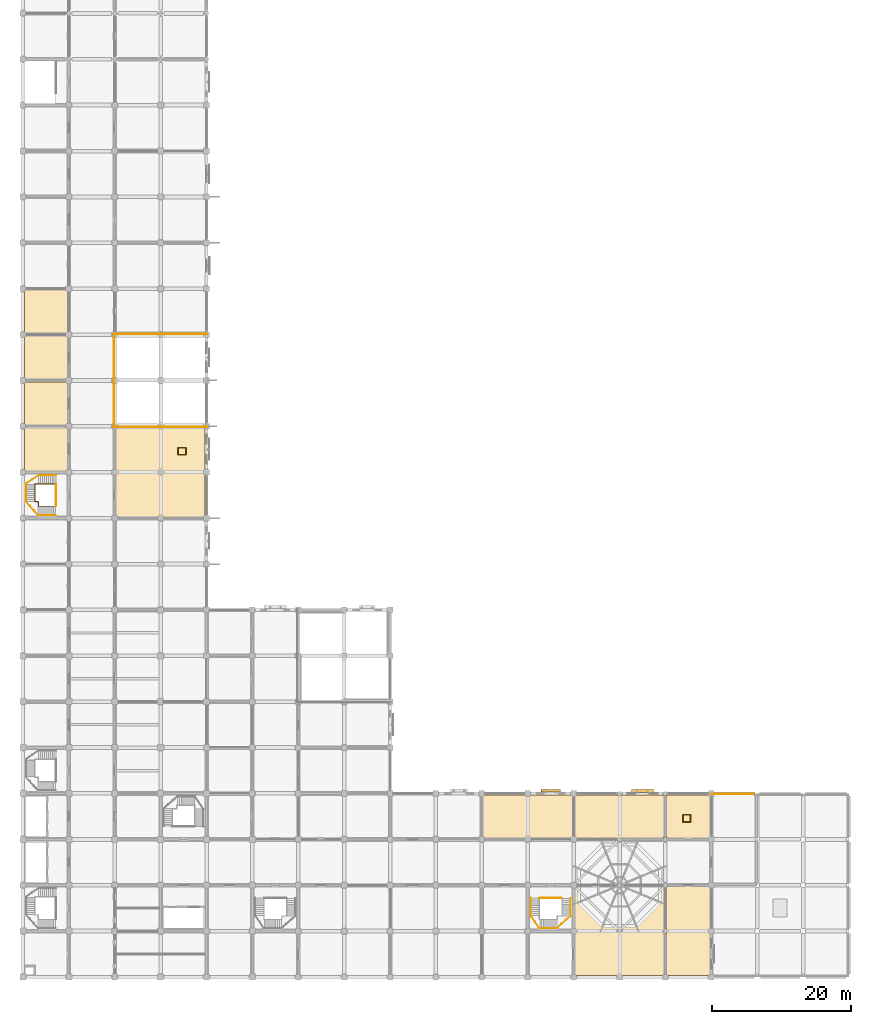
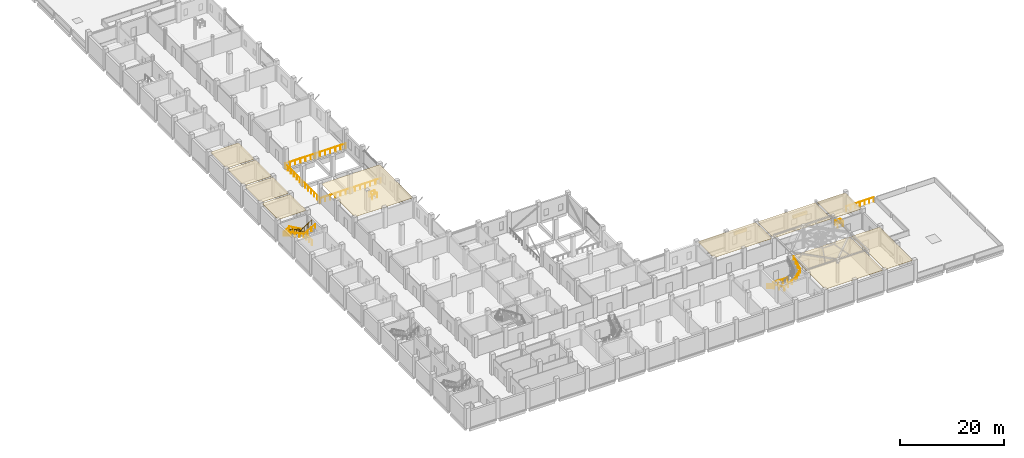
# One storey, part 33 of 34: 14 railings, 10 coverings, 2 shading devices.
"""IFC4 building model written with IfcOpenShell, lengths in metres."""

from ifc_helpers import new_model, si_unit, direction, frame, origin, origin_2d, place, context, subcontext, project, spatial, polyline, rectangle, circle, outline, extrude, material, layer, layer_set, type_object, element, save


model = new_model("IFC4")

# Units and contexts
model_context = context("Model", 3, precision=1e-05, world=origin(), true_north=direction((0.0, 1.0)))
body_context = subcontext(model_context, "Body", "Model", "MODEL_VIEW")
ifc_project = project(units=[si_unit("LENGTHUNIT", "METRE"), si_unit("AREAUNIT", "SQUARE_METRE"), si_unit("VOLUMEUNIT", "CUBIC_METRE"), si_unit("PLANEANGLEUNIT", "RADIAN"), si_unit("MASSUNIT", "GRAM", prefix="KILO")], contexts=[model_context])

# Site, building, storey
site_placement = place(None, origin())
site = spatial("IfcSite", under=ifc_project, at=site_placement, CompositionType="ELEMENT")
building_placement = place(site_placement, origin())
building = spatial("IfcBuilding", under=site, at=building_placement, Name="Rusizi Kubbe Research Institute", CompositionType="ELEMENT")
storey_placement = place(building_placement, frame((0.0, 0.0, 5.39990234375)))
storey = spatial("IfcBuildingStorey", under=building, at=storey_placement, Name="L01", CompositionType="ELEMENT", Elevation=5.39990234375)

# Coverings
ifc_material_1 = material(Name="Mineral-Fibre Acoustic Laboratory Ceiling", Category="masonry")
ifc_layer_1 = layer(ifc_material_1, 0.0400390625)
ifc_layer_set_1 = layer_set([ifc_layer_1], Name="Mineral-Fibre Acoustic Laboratory Ceiling")
covering_type_1 = type_object("IfcCoveringType", Name="CL-ACOUSTIC", PredefinedType="CEILING", material=ifc_layer_set_1)
covering_1_placement = place(storey_placement, frame((0.0, 0.0, 4.41015625)))
element("IfcCovering", 1, at=covering_1_placement, inside=storey, type_object=covering_type_1, Name="Service Spine Autoclave Room Ceiling L01-WSP-12", PredefinedType="CEILING", context=body_context, shape_type="SweptSolid", body=[
    extrude(outline(polyline([(0.18994140625, 79.389892578125), (6.409912109375, 79.389892578125), (6.409912109375, 85.610107421875), (0.18994140625, 85.610107421875), (0.18994140625, 79.389892578125)])), origin(), (0.0, 0.0, 1.0), 0.0400390625),
])
covering_2_placement = place(storey_placement, frame((0.0, 0.0, 4.41015625)))
element("IfcCovering", 2, at=covering_2_placement, inside=storey, type_object=covering_type_1, Name="Service Spine Autoclave Room Ceiling L01-WSP-14", PredefinedType="CEILING", context=body_context, shape_type="SweptSolid", body=[
    extrude(outline(polyline([(0.18994140625, 92.590087890625), (6.409912109375, 92.590087890625), (6.409912109375, 98.81005859375), (0.18994140625, 98.81005859375), (0.18994140625, 92.590087890625)])), origin(), (0.0, 0.0, 1.0), 0.0400390625),
])
covering_3_placement = place(storey_placement, frame((0.0, 0.0, 4.41015625)))
element("IfcCovering", 3, at=covering_3_placement, inside=storey, type_object=covering_type_1, Name="Bioscience Wet Laboratory Ceiling L01-NW-05", PredefinedType="CEILING", context=body_context, shape_type="SweptSolid", body=[
    extrude(outline(polyline([(13.389892578125, 66.18994140625), (26.2099609375, 66.18994140625), (26.2099609375, 79.010009765625), (13.389892578125, 79.010009765625), (13.389892578125, 66.18994140625)])), origin(), (0.0, 0.0, 1.0), 0.0400390625),
])
covering_4_placement = place(storey_placement, frame((0.0, 0.0, 4.41015625)))
element("IfcCovering", 4, at=covering_4_placement, inside=storey, type_object=covering_type_1, Name="Catalysis Wet Laboratory Ceiling L01-EWS-06", PredefinedType="CEILING", context=body_context, shape_type="SweptSolid", body=[
    extrude(outline(polyline([(92.590087890625, 0.18994140625), (98.81005859375, 0.18994140625), (98.81005859375, 13.010009765625), (92.590087890625, 13.010009765625), (92.590087890625, 0.18994140625)])), origin(), (0.0, 0.0, 1.0), 0.0400390625),
])
covering_5_placement = place(storey_placement, frame((0.0, 0.0, 4.41015625)))
element("IfcCovering", 5, at=covering_5_placement, inside=storey, type_object=covering_type_1, Name="Write-up Office Ceiling L01-EWN-02", PredefinedType="CEILING", context=body_context, shape_type="SweptSolid", body=[
    extrude(outline(polyline([(66.18994140625, 19.989990234375), (79.010009765625, 19.989990234375), (79.010009765625, 26.2099609375), (66.18994140625, 26.2099609375), (66.18994140625, 19.989990234375)])), origin(), (0.0, 0.0, 1.0), 0.0400390625),
])
covering_6_placement = place(storey_placement, frame((0.0, 0.0, 4.41015625)))
element("IfcCovering", 6, at=covering_6_placement, inside=storey, type_object=covering_type_1, Name="Molecular Diagnostics Laboratory Ceiling L01-EWN-03", PredefinedType="CEILING", context=body_context, shape_type="SweptSolid", body=[
    extrude(outline(polyline([(79.389892578125, 19.989990234375), (92.2099609375, 19.989990234375), (92.2099609375, 26.2099609375), (79.389892578125, 26.2099609375), (79.389892578125, 19.989990234375)])), origin(), (0.0, 0.0, 1.0), 0.0400390625),
])
covering_7_placement = place(storey_placement, frame((0.0, 0.0, 4.41015625)))
element("IfcCovering", 7, at=covering_7_placement, inside=storey, type_object=covering_type_1, Name="Write-up Office Ceiling L01-EWN-04", PredefinedType="CEILING", context=body_context, shape_type="SweptSolid", body=[
    extrude(outline(polyline([(92.590087890625, 19.989990234375), (98.81005859375, 19.989990234375), (98.81005859375, 26.2099609375), (92.590087890625, 26.2099609375), (92.590087890625, 19.989990234375)])), origin(), (0.0, 0.0, 1.0), 0.0400390625),
])
ifc_material_2 = material(Name="Flush Cleanroom Aluminium HEPA Ceiling Grid", Category="aluminium")
ifc_layer_2 = layer(ifc_material_2, 0.044921875)
ifc_layer_set_2 = layer_set([ifc_layer_2], Name="Flush Cleanroom Aluminium HEPA Ceiling Grid")
covering_type_2 = type_object("IfcCoveringType", Name="CL-HEPA", PredefinedType="CEILING", material=ifc_layer_set_2)
covering_8_placement = place(storey_placement, frame((0.0, 0.0, 4.405029296875)))
element("IfcCovering", 8, at=covering_8_placement, inside=storey, type_object=covering_type_2, Name="Clean Room Metrology Laboratory Ceiling L01-WSP-11", PredefinedType="CEILING", context=body_context, shape_type="SweptSolid", body=[
    extrude(outline(polyline([(0.18994140625, 72.7900390625), (6.409912109375, 72.7900390625), (6.409912109375, 79.010009765625), (0.18994140625, 79.010009765625), (0.18994140625, 72.7900390625)])), origin(), (0.0, 0.0, 1.0), 0.045166015625),
])
covering_9_placement = place(storey_placement, frame((0.0, 0.0, 4.405029296875)))
element("IfcCovering", 9, at=covering_9_placement, inside=storey, type_object=covering_type_2, Name="Clean Room Metrology Laboratory Ceiling L01-WSP-13", PredefinedType="CEILING", context=body_context, shape_type="SweptSolid", body=[
    extrude(outline(polyline([(0.18994140625, 85.989990234375), (6.409912109375, 85.989990234375), (6.409912109375, 92.2099609375), (0.18994140625, 92.2099609375), (0.18994140625, 85.989990234375)])), origin(), (0.0, 0.0, 1.0), 0.045166015625),
])
covering_10_placement = place(storey_placement, frame((0.0, 0.0, 4.405029296875)))
element("IfcCovering", 10, at=covering_10_placement, inside=storey, type_object=covering_type_2, Name="Clean Room Process Suite Ceiling L01-EWS-05", PredefinedType="CEILING", context=body_context, shape_type="SweptSolid", body=[
    extrude(outline(polyline([(79.389892578125, 0.18994140625), (92.2099609375, 0.18994140625), (92.2099609375, 13.010009765625), (79.389892578125, 13.010009765625), (79.389892578125, 0.18994140625)])), origin(), (0.0, 0.0, 1.0), 0.045166015625),
])

# Railings
ifc_material_3 = material(Name="Architectural Painted Steel Balustrade", Category="steel")
railing_type_1 = type_object("IfcRailingType", Name="GR-EXT", PredefinedType="GUARDRAIL", material=ifc_material_3)
railing_1_placement = place(storey_placement, frame((99.080078125, 26.320068359375, 0.0)))
element("IfcRailing", 11, at=railing_1_placement, inside=storey, type_object=railing_type_1, Name="Roof Terrace Guard L01-02", PredefinedType="GUARDRAIL", context=body_context, shape_type="SweptSolid", body=[
    extrude(circle(Radius=0.02392578125, at=origin_2d()), frame((0.0, 0.0, 1.09619140625), z_axis=(1.0, 0.0, 0.0), x_axis=(0.0, 1.0, 0.0)), (0.0, 0.0, 1.0), 6.099853515625),
    extrude(circle(Radius=0.02099609375, at=origin_2d()), origin(), (0.0, 0.0, 1.0), 1.072021484375),
    extrude(circle(Radius=0.02099609375, at=origin_2d()), frame((1.0166015625, 0.0, 0.0)), (0.0, 0.0, 1.0), 1.072021484375),
    extrude(circle(Radius=0.02099609375, at=origin_2d()), frame((2.033203125, 0.0, 0.0)), (0.0, 0.0, 1.0), 1.072021484375),
    extrude(circle(Radius=0.02099609375, at=origin_2d()), frame((3.0498046875, 0.0, 0.0)), (0.0, 0.0, 1.0), 1.072021484375),
    extrude(circle(Radius=0.02099609375, at=origin_2d()), frame((4.066650390625, 0.0, 0.0)), (0.0, 0.0, 1.0), 1.072021484375),
    extrude(circle(Radius=0.02099609375, at=origin_2d()), frame((5.083251953125, 0.0, 0.0)), (0.0, 0.0, 1.0), 1.072021484375),
    extrude(circle(Radius=0.02099609375, at=origin_2d()), frame((6.099853515625, 0.0, 0.0)), (0.0, 0.0, 1.0), 1.072021484375),
])
ifc_material_4 = material(Name="Painted Steel Stair Guard", Category="steel")
railing_type_2 = type_object("IfcRailingType", Name="GR-STAIR", PredefinedType="GUARDRAIL", material=ifc_material_4)
railing_2_placement = place(storey_placement, frame((4.780029296875, 70.889892578125, 0.080078125)))
element("IfcRailing", 12, at=railing_2_placement, inside=storey, type_object=railing_type_2, Name="Stair Inner Well Guard ST5 L01", PredefinedType="GUARDRAIL", context=body_context, shape_type="SweptSolid", body=[
    extrude(circle(Radius=0.02392578125, at=origin_2d()), frame((0.0, 0.0, 1.09619140625), z_axis=(-0.859856993665, 0.0, 0.510534964959), x_axis=(0.0, -1.0, 0.0)), (0.0, 0.0, 1.0), 2.977294921875),
    extrude(circle(Radius=0.02392578125, at=origin_2d()), frame((-2.56005859375, 0.0, 2.6162109375), z_axis=(-1.0, 0.0, 0.0), x_axis=(0.0, -1.0, 0.0)), (0.0, 0.0, 1.0), 0.510009765625),
    extrude(circle(Radius=0.02392578125, at=origin_2d()), frame((-3.070068359375, 0.0, 2.6162109375), z_axis=(0.0, 0.4472135955, 0.894427191), x_axis=(-1.0, 0.0, 0.0)), (0.0, 0.0, 1.0), 0.089599609375),
    extrude(circle(Radius=0.02392578125, at=origin_2d()), frame((-3.070068359375, 0.0400390625, 2.6962890625), z_axis=(0.0, -0.856290143798, 0.516495101268), x_axis=(1.0, 0.0, 0.0)), (0.0, 0.0, 1.0), 2.94287109375),
    extrude(circle(Radius=0.02392578125, at=origin_2d()), frame((-3.070068359375, -2.47998046875, 4.21630859375), z_axis=(0.0, -1.0, 0.0), x_axis=(1.0, 0.0, 0.0)), (0.0, 0.0, 1.0), 0.039794921875),
    extrude(circle(Radius=0.02392578125, at=origin_2d()), frame((-3.070068359375, -2.519775390625, 4.21630859375), z_axis=(1.0, 0.0, 0.0), x_axis=(0.0, 1.0, 0.0)), (0.0, 0.0, 1.0), 0.510009765625),
    extrude(circle(Radius=0.02392578125, at=origin_2d()), frame((-2.56005859375, -2.519775390625, 4.21630859375), z_axis=(0.0, -1.0, 0.0), x_axis=(1.0, 0.0, 0.0)), (0.0, 0.0, 1.0), 0.66015625),
    extrude(circle(Radius=0.02392578125, at=origin_2d()), frame((-2.56005859375, -3.179931640625, 4.21630859375), z_axis=(0.840317313588, 0.0, 0.542094837167), x_axis=(0.0, 1.0, 0.0)), (0.0, 0.0, 1.0), 2.951171875),
    extrude(circle(Radius=0.02099609375, at=origin_2d()), origin(), (0.0, 0.0, 1.0), 1.072021484375),
    extrude(circle(Radius=0.02099609375, at=origin_2d()), frame((-0.853271484375, 0.0, 0.506591796875)), (0.0, 0.0, 1.0), 1.072021484375),
    extrude(circle(Radius=0.02099609375, at=origin_2d()), frame((-1.706787109375, 0.0, 1.013427734375)), (0.0, 0.0, 1.0), 1.072021484375),
    extrude(circle(Radius=0.02099609375, at=origin_2d()), frame((-2.56005859375, 0.0, 1.52001953125)), (0.0, 0.0, 1.0), 1.072021484375),
    extrude(circle(Radius=0.02099609375, at=origin_2d()), frame((-3.070068359375, 0.0, 1.52001953125)), (0.0, 0.0, 1.0), 1.072021484375),
    extrude(circle(Radius=0.02099609375, at=origin_2d()), frame((-3.070068359375, 0.0400390625, 1.60009765625)), (0.0, 0.0, 1.0), 1.072021484375),
    extrude(circle(Radius=0.02099609375, at=origin_2d()), frame((-3.070068359375, -0.800048828125, 2.106689453125)), (0.0, 0.0, 1.0), 1.072021484375),
    extrude(circle(Radius=0.02099609375, at=origin_2d()), frame((-3.070068359375, -1.639892578125, 2.613525390625)), (0.0, 0.0, 1.0), 1.072021484375),
    extrude(circle(Radius=0.02099609375, at=origin_2d()), frame((-3.070068359375, -2.47998046875, 3.1201171875)), (0.0, 0.0, 1.0), 1.072021484375),
    extrude(circle(Radius=0.02099609375, at=origin_2d()), frame((-3.070068359375, -2.519775390625, 3.1201171875)), (0.0, 0.0, 1.0), 1.072021484375),
    extrude(circle(Radius=0.02099609375, at=origin_2d()), frame((-2.56005859375, -2.519775390625, 3.1201171875)), (0.0, 0.0, 1.0), 1.072021484375),
    extrude(circle(Radius=0.02099609375, at=origin_2d()), frame((-2.56005859375, -3.179931640625, 3.1201171875)), (0.0, 0.0, 1.0), 1.072021484375),
    extrude(circle(Radius=0.02099609375, at=origin_2d()), frame((-1.7333984375, -3.179931640625, 3.6533203125)), (0.0, 0.0, 1.0), 1.072021484375),
    extrude(circle(Radius=0.02099609375, at=origin_2d()), frame((-0.90673828125, -3.179931640625, 4.186767578125)), (0.0, 0.0, 1.0), 1.072021484375),
    extrude(circle(Radius=0.02099609375, at=origin_2d()), frame((-0.080078125, -3.179931640625, 4.719970703125)), (0.0, 0.0, 1.0), 1.072021484375),
])
railing_3_placement = place(storey_placement, frame((4.75, 70.889892578125, 0.0)))
element("IfcRailing", 13, at=railing_3_placement, inside=storey, type_object=railing_type_2, Name="Stair Floor Edge Guard ST5 L01", PredefinedType="GUARDRAIL", context=body_context, shape_type="SweptSolid", body=[
    extrude(circle(Radius=0.02392578125, at=origin_2d()), frame((0.0, 0.0, 1.09619140625), z_axis=(0.0, -1.0, 0.0), x_axis=(1.0, 0.0, 0.0)), (0.0, 0.0, 1.0), 3.179931640625),
    extrude(circle(Radius=0.02099609375, at=origin_2d()), origin(), (0.0, 0.0, 1.0), 1.072021484375),
    extrude(circle(Radius=0.02099609375, at=origin_2d()), frame((0.0, -1.06005859375, 0.0)), (0.0, 0.0, 1.0), 1.072021484375),
    extrude(circle(Radius=0.02099609375, at=origin_2d()), frame((0.0, -2.119873046875, 0.0)), (0.0, 0.0, 1.0), 1.072021484375),
    extrude(circle(Radius=0.02099609375, at=origin_2d()), frame((0.0, -3.179931640625, 0.0)), (0.0, 0.0, 1.0), 1.072021484375),
])
railing_4_placement = place(storey_placement, frame((74.31005859375, 11.35009765625, 0.0)))
element("IfcRailing", 14, at=railing_4_placement, inside=storey, type_object=railing_type_2, Name="Stair Floor Edge Guard ST7 L01", PredefinedType="GUARDRAIL", context=body_context, shape_type="SweptSolid", body=[
    extrude(circle(Radius=0.02392578125, at=origin_2d()), frame((0.0, 0.0, 1.09619140625), z_axis=(1.0, 0.0, 0.0), x_axis=(0.0, 1.0, 0.0)), (0.0, 0.0, 1.0), 3.179931640625),
    extrude(circle(Radius=0.02099609375, at=origin_2d()), origin(), (0.0, 0.0, 1.0), 1.072021484375),
    extrude(circle(Radius=0.02099609375, at=origin_2d()), frame((1.06005859375, 0.0, 0.0)), (0.0, 0.0, 1.0), 1.072021484375),
    extrude(circle(Radius=0.02099609375, at=origin_2d()), frame((2.119873046875, 0.0, 0.0)), (0.0, 0.0, 1.0), 1.072021484375),
    extrude(circle(Radius=0.02099609375, at=origin_2d()), frame((3.179931640625, 0.0, 0.0)), (0.0, 0.0, 1.0), 1.072021484375),
])
railing_5_placement = place(storey_placement, frame((22.320068359375, 75.1201171875, 0.0)))
element("IfcRailing", 15, at=railing_5_placement, inside=storey, type_object=railing_type_2, Name="Service Riser Guard L01 NORTHA", PredefinedType="GUARDRAIL", context=body_context, shape_type="SweptSolid", body=[
    extrude(circle(Radius=0.02392578125, at=origin_2d()), frame((0.0, 0.0, 1.09619140625), z_axis=(1.0, 0.0, 0.0), x_axis=(0.0, 1.0, 0.0)), (0.0, 0.0, 1.0), 1.10986328125),
    extrude(circle(Radius=0.02392578125, at=origin_2d()), frame((1.10986328125, 0.0, 1.09619140625), z_axis=(0.0, 1.0, 0.0), x_axis=(-1.0, 0.0, 0.0)), (0.0, 0.0, 1.0), 1.009765625),
    extrude(circle(Radius=0.02392578125, at=origin_2d()), frame((1.10986328125, 1.009765625, 1.09619140625), z_axis=(-1.0, 0.0, 0.0), x_axis=(0.0, -1.0, 0.0)), (0.0, 0.0, 1.0), 1.10986328125),
    extrude(circle(Radius=0.02392578125, at=origin_2d()), frame((0.0, 1.009765625, 1.09619140625), z_axis=(0.0, -1.0, 0.0), x_axis=(1.0, 0.0, 0.0)), (0.0, 0.0, 1.0), 1.009765625),
    extrude(circle(Radius=0.02099609375, at=origin_2d()), origin(), (0.0, 0.0, 1.0), 1.072021484375),
    extrude(circle(Radius=0.02099609375, at=origin_2d()), frame((1.10986328125, 0.0, 0.0)), (0.0, 0.0, 1.0), 1.072021484375),
    extrude(circle(Radius=0.02099609375, at=origin_2d()), frame((1.10986328125, 1.009765625, 0.0)), (0.0, 0.0, 1.0), 1.072021484375),
    extrude(circle(Radius=0.02099609375, at=origin_2d()), frame((0.0, 1.009765625, 0.0)), (0.0, 0.0, 1.0), 1.072021484375),
])
railing_6_placement = place(storey_placement, frame((94.919921875, 22.320068359375, 0.0)))
element("IfcRailing", 16, at=railing_6_placement, inside=storey, type_object=railing_type_2, Name="Service Riser Guard L01 EAST", PredefinedType="GUARDRAIL", context=body_context, shape_type="SweptSolid", body=[
    extrude(circle(Radius=0.02392578125, at=origin_2d()), frame((0.0, 0.0, 1.09619140625), z_axis=(1.0, 0.0, 0.0), x_axis=(0.0, 1.0, 0.0)), (0.0, 0.0, 1.0), 1.110107421875),
    extrude(circle(Radius=0.02392578125, at=origin_2d()), frame((1.110107421875, 0.0, 1.09619140625), z_axis=(0.0, 1.0, 0.0), x_axis=(-1.0, 0.0, 0.0)), (0.0, 0.0, 1.0), 1.010009765625),
    extrude(circle(Radius=0.02392578125, at=origin_2d()), frame((1.110107421875, 1.010009765625, 1.09619140625), z_axis=(-1.0, 0.0, 0.0), x_axis=(0.0, -1.0, 0.0)), (0.0, 0.0, 1.0), 1.110107421875),
    extrude(circle(Radius=0.02392578125, at=origin_2d()), frame((0.0, 1.010009765625, 1.09619140625), z_axis=(0.0, -1.0, 0.0), x_axis=(1.0, 0.0, 0.0)), (0.0, 0.0, 1.0), 1.010009765625),
    extrude(circle(Radius=0.02099609375, at=origin_2d()), origin(), (0.0, 0.0, 1.0), 1.072021484375),
    extrude(circle(Radius=0.02099609375, at=origin_2d()), frame((1.110107421875, 0.0, 0.0)), (0.0, 0.0, 1.0), 1.072021484375),
    extrude(circle(Radius=0.02099609375, at=origin_2d()), frame((1.110107421875, 1.010009765625, 0.0)), (0.0, 0.0, 1.0), 1.072021484375),
    extrude(circle(Radius=0.02099609375, at=origin_2d()), frame((0.0, 1.010009765625, 0.0)), (0.0, 0.0, 1.0), 1.072021484375),
])
ifc_material_5 = material(Name="Tempered Glass and Bronze Atrium Balustrade", Category="steel")
railing_type_3 = type_object("IfcRailingType", Name="GR-VOID", PredefinedType="BALUSTRADE", material=ifc_material_5)
railing_7_placement = place(storey_placement, frame((13.10009765625, 79.10009765625, 0.0)))
element("IfcRailing", 17, at=railing_7_placement, inside=storey, type_object=railing_type_3, Name="Atrium Void Balustrade L01-01", PredefinedType="BALUSTRADE", context=body_context, shape_type="SweptSolid", body=[
    extrude(circle(Radius=0.02392578125, at=origin_2d()), frame((0.0, 0.0, 1.09619140625), z_axis=(1.0, 0.0, 0.0), x_axis=(0.0, 1.0, 0.0)), (0.0, 0.0, 1.0), 6.7998046875),
    extrude(circle(Radius=0.02099609375, at=origin_2d()), origin(), (0.0, 0.0, 1.0), 1.072021484375),
    extrude(circle(Radius=0.02099609375, at=origin_2d()), frame((1.13330078125, 0.0, 0.0)), (0.0, 0.0, 1.0), 1.072021484375),
    extrude(circle(Radius=0.02099609375, at=origin_2d()), frame((2.2666015625, 0.0, 0.0)), (0.0, 0.0, 1.0), 1.072021484375),
    extrude(circle(Radius=0.02099609375, at=origin_2d()), frame((3.39990234375, 0.0, 0.0)), (0.0, 0.0, 1.0), 1.072021484375),
    extrude(circle(Radius=0.02099609375, at=origin_2d()), frame((4.533203125, 0.0, 0.0)), (0.0, 0.0, 1.0), 1.072021484375),
    extrude(circle(Radius=0.02099609375, at=origin_2d()), frame((5.66650390625, 0.0, 0.0)), (0.0, 0.0, 1.0), 1.072021484375),
    extrude(circle(Radius=0.02099609375, at=origin_2d()), frame((6.7998046875, 0.0, 0.0)), (0.0, 0.0, 1.0), 1.072021484375),
])
railing_8_placement = place(storey_placement, frame((13.10009765625, 79.10009765625, 0.0)))
element("IfcRailing", 18, at=railing_8_placement, inside=storey, type_object=railing_type_3, Name="Atrium Void Balustrade L01-02", PredefinedType="BALUSTRADE", context=body_context, shape_type="SweptSolid", body=[
    extrude(circle(Radius=0.02392578125, at=origin_2d()), frame((0.0, 0.0, 1.09619140625), z_axis=(0.0, 1.0, 0.0), x_axis=(-1.0, 0.0, 0.0)), (0.0, 0.0, 1.0), 6.7998046875),
    extrude(circle(Radius=0.02099609375, at=origin_2d()), origin(), (0.0, 0.0, 1.0), 1.072021484375),
    extrude(circle(Radius=0.02099609375, at=origin_2d()), frame((0.0, 1.13330078125, 0.0)), (0.0, 0.0, 1.0), 1.072021484375),
    extrude(circle(Radius=0.02099609375, at=origin_2d()), frame((0.0, 2.2666015625, 0.0)), (0.0, 0.0, 1.0), 1.072021484375),
    extrude(circle(Radius=0.02099609375, at=origin_2d()), frame((0.0, 3.39990234375, 0.0)), (0.0, 0.0, 1.0), 1.072021484375),
    extrude(circle(Radius=0.02099609375, at=origin_2d()), frame((0.0, 4.533203125, 0.0)), (0.0, 0.0, 1.0), 1.072021484375),
    extrude(circle(Radius=0.02099609375, at=origin_2d()), frame((0.0, 5.66650390625, 0.0)), (0.0, 0.0, 1.0), 1.072021484375),
    extrude(circle(Radius=0.02099609375, at=origin_2d()), frame((0.0, 6.7998046875, 0.0)), (0.0, 0.0, 1.0), 1.072021484375),
])
railing_9_placement = place(storey_placement, frame((13.10009765625, 92.5, 0.0)))
element("IfcRailing", 19, at=railing_9_placement, inside=storey, type_object=railing_type_3, Name="Atrium Void Balustrade L01-03", PredefinedType="BALUSTRADE", context=body_context, shape_type="SweptSolid", body=[
    extrude(circle(Radius=0.02392578125, at=origin_2d()), frame((0.0, 0.0, 1.09619140625), z_axis=(1.0, 0.0, 0.0), x_axis=(0.0, 1.0, 0.0)), (0.0, 0.0, 1.0), 6.7998046875),
    extrude(circle(Radius=0.02099609375, at=origin_2d()), origin(), (0.0, 0.0, 1.0), 1.072021484375),
    extrude(circle(Radius=0.02099609375, at=origin_2d()), frame((1.13330078125, 0.0, 0.0)), (0.0, 0.0, 1.0), 1.072021484375),
    extrude(circle(Radius=0.02099609375, at=origin_2d()), frame((2.2666015625, 0.0, 0.0)), (0.0, 0.0, 1.0), 1.072021484375),
    extrude(circle(Radius=0.02099609375, at=origin_2d()), frame((3.39990234375, 0.0, 0.0)), (0.0, 0.0, 1.0), 1.072021484375),
    extrude(circle(Radius=0.02099609375, at=origin_2d()), frame((4.533203125, 0.0, 0.0)), (0.0, 0.0, 1.0), 1.072021484375),
    extrude(circle(Radius=0.02099609375, at=origin_2d()), frame((5.66650390625, 0.0, 0.0)), (0.0, 0.0, 1.0), 1.072021484375),
    extrude(circle(Radius=0.02099609375, at=origin_2d()), frame((6.7998046875, 0.0, 0.0)), (0.0, 0.0, 1.0), 1.072021484375),
])
railing_10_placement = place(storey_placement, frame((13.10009765625, 85.699951171875, 0.0)))
element("IfcRailing", 20, at=railing_10_placement, inside=storey, type_object=railing_type_3, Name="Atrium Void Balustrade L01-04", PredefinedType="BALUSTRADE", context=body_context, shape_type="SweptSolid", body=[
    extrude(circle(Radius=0.02392578125, at=origin_2d()), frame((0.0, 0.0, 1.09619140625), z_axis=(0.0, 1.0, 0.0), x_axis=(-1.0, 0.0, 0.0)), (0.0, 0.0, 1.0), 6.800048828125),
    extrude(circle(Radius=0.02099609375, at=origin_2d()), origin(), (0.0, 0.0, 1.0), 1.072021484375),
    extrude(circle(Radius=0.02099609375, at=origin_2d()), frame((0.0, 1.13330078125, 0.0)), (0.0, 0.0, 1.0), 1.072021484375),
    extrude(circle(Radius=0.02099609375, at=origin_2d()), frame((0.0, 2.2666015625, 0.0)), (0.0, 0.0, 1.0), 1.072021484375),
    extrude(circle(Radius=0.02099609375, at=origin_2d()), frame((0.0, 3.39990234375, 0.0)), (0.0, 0.0, 1.0), 1.072021484375),
    extrude(circle(Radius=0.02099609375, at=origin_2d()), frame((0.0, 4.533447265625, 0.0)), (0.0, 0.0, 1.0), 1.072021484375),
    extrude(circle(Radius=0.02099609375, at=origin_2d()), frame((0.0, 5.666748046875, 0.0)), (0.0, 0.0, 1.0), 1.072021484375),
    extrude(circle(Radius=0.02099609375, at=origin_2d()), frame((0.0, 6.800048828125, 0.0)), (0.0, 0.0, 1.0), 1.072021484375),
])
for number, where, name in (
    (21, (19.699951171875, 79.10009765625, 0.0), "Atrium Void Balustrade L01-05"),
    (22, (19.699951171875, 92.5, 0.0), "Atrium Void Balustrade L01-06"),
):
    element("IfcRailing", number, at=place(storey_placement, frame(where)), inside=storey, type_object=railing_type_3, Name=name, PredefinedType="BALUSTRADE", context=body_context, shape_type="SweptSolid", body=[
        extrude(circle(Radius=0.02392578125, at=origin_2d()), frame((0.0, 0.0, 1.09619140625), z_axis=(1.0, 0.0, 0.0), x_axis=(0.0, 1.0, 0.0)), (0.0, 0.0, 1.0), 6.800048828125),
        extrude(circle(Radius=0.02099609375, at=origin_2d()), origin(), (0.0, 0.0, 1.0), 1.072021484375),
        extrude(circle(Radius=0.02099609375, at=origin_2d()), frame((1.13330078125, 0.0, 0.0)), (0.0, 0.0, 1.0), 1.072021484375),
        extrude(circle(Radius=0.02099609375, at=origin_2d()), frame((2.2666015625, 0.0, 0.0)), (0.0, 0.0, 1.0), 1.072021484375),
        extrude(circle(Radius=0.02099609375, at=origin_2d()), frame((3.39990234375, 0.0, 0.0)), (0.0, 0.0, 1.0), 1.072021484375),
        extrude(circle(Radius=0.02099609375, at=origin_2d()), frame((4.533447265625, 0.0, 0.0)), (0.0, 0.0, 1.0), 1.072021484375),
        extrude(circle(Radius=0.02099609375, at=origin_2d()), frame((5.666748046875, 0.0, 0.0)), (0.0, 0.0, 1.0), 1.072021484375),
        extrude(circle(Radius=0.02099609375, at=origin_2d()), frame((6.800048828125, 0.0, 0.0)), (0.0, 0.0, 1.0), 1.072021484375),
    ])
ifc_material_6 = material(Name="Brushed Stainless Steel Handrail", Category="steel")
railing_type_4 = type_object("IfcRailingType", Name="HR-STAIR", PredefinedType="HANDRAIL", material=ifc_material_6)
railing_11_placement = place(storey_placement, frame((4.780029296875, 72.179931640625, 0.16015625)))
element("IfcRailing", 23, at=railing_11_placement, inside=storey, type_object=railing_type_4, Name="Stair Wall Handrail ST5 L01", PredefinedType="HANDRAIL", context=body_context, shape_type="SweptSolid", body=[
    extrude(circle(Radius=0.02392578125, at=origin_2d()), frame((0.0, 0.0, 0.8759765625), z_axis=(-0.868253494771, 0.0, 0.496120820787), x_axis=(0.0, -1.0, 0.0)), (0.0, 0.0, 1.0), 2.90234375),
    extrude(circle(Radius=0.02392578125, at=origin_2d()), frame((-2.52001953125, 0.0, 2.31591796875), z_axis=(-0.825060661781, -0.560476394894, 0.07170157005), x_axis=(0.561922710889, -0.82718974062, 0.0)), (0.0, 0.0, 1.0), 2.230224609375),
    extrude(circle(Radius=0.02392578125, at=origin_2d()), frame((-4.360107421875, -1.25, 2.4755859375), z_axis=(0.0, -0.868217259934, 0.496184229447), x_axis=(1.0, 0.0, 0.0)), (0.0, 0.0, 1.0), 2.902587890625),
    extrude(circle(Radius=0.02392578125, at=origin_2d()), frame((-4.360107421875, -3.77001953125, 3.916015625), z_axis=(0.662587075021, -0.746578275988, 0.059993714976), x_axis=(0.747925473127, 0.663782710416, 0.0)), (0.0, 0.0, 1.0), 2.66552734375),
    extrude(circle(Radius=0.02392578125, at=origin_2d()), frame((-2.593994140625, -5.760009765625, 4.07568359375), z_axis=(0.867734470008, 0.0, 0.497028057115), x_axis=(0.0, 1.0, 0.0)), (0.0, 0.0, 1.0), 2.897216796875),
    extrude(circle(Radius=0.02099609375, at=origin_2d()), origin(), (0.0, 0.0, 1.0), 0.851806640625),
    extrude(circle(Radius=0.02099609375, at=origin_2d()), frame((-0.840087890625, 0.0, 0.47998046875)), (0.0, 0.0, 1.0), 0.851806640625),
    extrude(circle(Radius=0.02099609375, at=origin_2d()), frame((-1.679931640625, 0.0, 0.9599609375)), (0.0, 0.0, 1.0), 0.851806640625),
    extrude(circle(Radius=0.02099609375, at=origin_2d()), frame((-2.52001953125, 0.0, 1.43994140625)), (0.0, 0.0, 1.0), 0.851806640625),
    extrude(circle(Radius=0.02099609375, at=origin_2d()), frame((-3.43994140625, -0.625, 1.52001953125)), (0.0, 0.0, 1.0), 0.851806640625),
    extrude(circle(Radius=0.02099609375, at=origin_2d()), frame((-4.360107421875, -1.25, 1.599853515625)), (0.0, 0.0, 1.0), 0.851806640625),
    extrude(circle(Radius=0.02099609375, at=origin_2d()), frame((-4.360107421875, -2.090087890625, 2.079833984375)), (0.0, 0.0, 1.0), 0.851806640625),
    extrude(circle(Radius=0.02099609375, at=origin_2d()), frame((-4.360107421875, -2.929931640625, 2.56005859375)), (0.0, 0.0, 1.0), 0.851806640625),
    extrude(circle(Radius=0.02099609375, at=origin_2d()), frame((-4.360107421875, -3.77001953125, 3.0400390625)), (0.0, 0.0, 1.0), 0.851806640625),
    extrude(circle(Radius=0.02099609375, at=origin_2d()), frame((-3.771484375, -4.433349609375, 3.09326171875)), (0.0, 0.0, 1.0), 0.851806640625),
    extrude(circle(Radius=0.02099609375, at=origin_2d()), frame((-3.1826171875, -5.0966796875, 3.146728515625)), (0.0, 0.0, 1.0), 0.851806640625),
    extrude(circle(Radius=0.02099609375, at=origin_2d()), frame((-2.593994140625, -5.760009765625, 3.199951171875)), (0.0, 0.0, 1.0), 0.851806640625),
    extrude(circle(Radius=0.02099609375, at=origin_2d()), frame((-1.756103515625, -5.760009765625, 3.679931640625)), (0.0, 0.0, 1.0), 0.851806640625),
    extrude(circle(Radius=0.02099609375, at=origin_2d()), frame((-0.91796875, -5.760009765625, 4.159912109375)), (0.0, 0.0, 1.0), 0.851806640625),
    extrude(circle(Radius=0.02099609375, at=origin_2d()), frame((-0.080078125, -5.760009765625, 4.639892578125)), (0.0, 0.0, 1.0), 0.851806640625),
])
railing_12_placement = place(storey_placement, frame((73.02001953125, 11.3798828125, 0.16015625)))
element("IfcRailing", 24, at=railing_12_placement, inside=storey, type_object=railing_type_4, Name="Stair Wall Handrail ST7 L01", PredefinedType="HANDRAIL", context=body_context, shape_type="SweptSolid", body=[
    extrude(circle(Radius=0.02392578125, at=origin_2d()), frame((0.0, 0.0, 0.8759765625), z_axis=(0.0, -0.868232788344, 0.496157057034), x_axis=(1.0, 0.0, 0.0)), (0.0, 0.0, 1.0), 2.902099609375),
    extrude(circle(Radius=0.02392578125, at=origin_2d()), frame((0.0, -2.519775390625, 2.31591796875), z_axis=(0.560476394894, -0.825060661781, 0.07170157005), x_axis=(0.82718974062, 0.561922710889, 0.0)), (0.0, 0.0, 1.0), 2.230224609375),
    extrude(circle(Radius=0.02392578125, at=origin_2d()), frame((1.25, -4.35986328125, 2.4755859375), z_axis=(0.868217259934, 0.0, 0.496184229447), x_axis=(0.0, 1.0, 0.0)), (0.0, 0.0, 1.0), 2.902587890625),
    extrude(circle(Radius=0.02392578125, at=origin_2d()), frame((3.77001953125, -4.35986328125, 3.916015625), z_axis=(0.746623585802, 0.662535688395, 0.059997355993), x_axis=(-0.663731376575, 0.747971028683, 0.0)), (0.0, 0.0, 1.0), 2.665283203125),
    extrude(circle(Radius=0.02392578125, at=origin_2d()), frame((5.760009765625, -2.593994140625, 4.07568359375), z_axis=(0.0, 0.867755285675, 0.496991714402), x_axis=(-1.0, 0.0, 0.0)), (0.0, 0.0, 1.0), 2.897216796875),
    extrude(circle(Radius=0.02099609375, at=origin_2d()), origin(), (0.0, 0.0, 1.0), 0.851806640625),
    extrude(circle(Radius=0.02099609375, at=origin_2d()), frame((0.0, -0.83984375, 0.47998046875)), (0.0, 0.0, 1.0), 0.851806640625),
    extrude(circle(Radius=0.02099609375, at=origin_2d()), frame((0.0, -1.679931640625, 0.9599609375)), (0.0, 0.0, 1.0), 0.851806640625),
    extrude(circle(Radius=0.02099609375, at=origin_2d()), frame((0.0, -2.519775390625, 1.43994140625)), (0.0, 0.0, 1.0), 0.851806640625),
    extrude(circle(Radius=0.02099609375, at=origin_2d()), frame((0.625, -3.43994140625, 1.52001953125)), (0.0, 0.0, 1.0), 0.851806640625),
    extrude(circle(Radius=0.02099609375, at=origin_2d()), frame((1.25, -4.35986328125, 1.599853515625)), (0.0, 0.0, 1.0), 0.851806640625),
    extrude(circle(Radius=0.02099609375, at=origin_2d()), frame((2.090087890625, -4.35986328125, 2.079833984375)), (0.0, 0.0, 1.0), 0.851806640625),
    extrude(circle(Radius=0.02099609375, at=origin_2d()), frame((2.929931640625, -4.35986328125, 2.56005859375)), (0.0, 0.0, 1.0), 0.851806640625),
    extrude(circle(Radius=0.02099609375, at=origin_2d()), frame((3.77001953125, -4.35986328125, 3.0400390625)), (0.0, 0.0, 1.0), 0.851806640625),
    extrude(circle(Radius=0.02099609375, at=origin_2d()), frame((4.433349609375, -3.771240234375, 3.09326171875)), (0.0, 0.0, 1.0), 0.851806640625),
    extrude(circle(Radius=0.02099609375, at=origin_2d()), frame((5.0966796875, -3.1826171875, 3.146728515625)), (0.0, 0.0, 1.0), 0.851806640625),
    extrude(circle(Radius=0.02099609375, at=origin_2d()), frame((5.760009765625, -2.593994140625, 3.199951171875)), (0.0, 0.0, 1.0), 0.851806640625),
    extrude(circle(Radius=0.02099609375, at=origin_2d()), frame((5.760009765625, -1.755859375, 3.679931640625)), (0.0, 0.0, 1.0), 0.851806640625),
    extrude(circle(Radius=0.02099609375, at=origin_2d()), frame((5.760009765625, -0.91796875, 4.159912109375)), (0.0, 0.0, 1.0), 0.851806640625),
    extrude(circle(Radius=0.02099609375, at=origin_2d()), frame((5.760009765625, -0.079833984375, 4.639892578125)), (0.0, 0.0, 1.0), 0.851806640625),
])

# Shading devices
ifc_material_7 = material(Name="Extruded Aluminium Solar Louver", Category="aluminium")
shading_device_type_1 = type_object("IfcShadingDeviceType", Name="SD-02", PredefinedType="SHUTTER", material=ifc_material_7)
shading_device_1_placement = place(storey_placement, frame((75.89990234375, 26.797607421875, 2.7001953125), z_axis=(0.0, 0.0, 1.0), x_axis=(1.0, 0.0, 0.0)))
element("IfcShadingDevice", 25, at=shading_device_1_placement, inside=storey, type_object=shading_device_type_1, Name="Solar Shading Louver SD-02-017", PredefinedType="SHUTTER", context=body_context, shape_type="SweptSolid", body=[
    extrude(rectangle(XDim=2.800048828125, YDim=0.419921875, at=origin_2d()), origin(), (0.0, 0.0, 1.0), 0.699951171875),
])
ifc_material_8 = material(Name="Extruded Aluminium Solar Louver", Category="aluminium")
shading_device_type_2 = type_object("IfcShadingDeviceType", Name="SD-03", PredefinedType="SHUTTER", material=ifc_material_8)
shading_device_2_placement = place(storey_placement, frame((89.10009765625, 26.782470703125, 2.065185546875), z_axis=(0.0, 0.0, 1.0), x_axis=(1.0, 0.0, 0.0)))
element("IfcShadingDevice", 26, at=shading_device_2_placement, inside=storey, type_object=shading_device_type_2, Name="Solar Shading Louver SD-03-018", PredefinedType="SHUTTER", context=body_context, shape_type="SweptSolid", body=[
    extrude(rectangle(XDim=3.199951171875, YDim=0.419921875, at=origin_2d()), origin(), (0.0, 0.0, 1.0), 0.64990234375),
])

save(model, "model.ifc")
